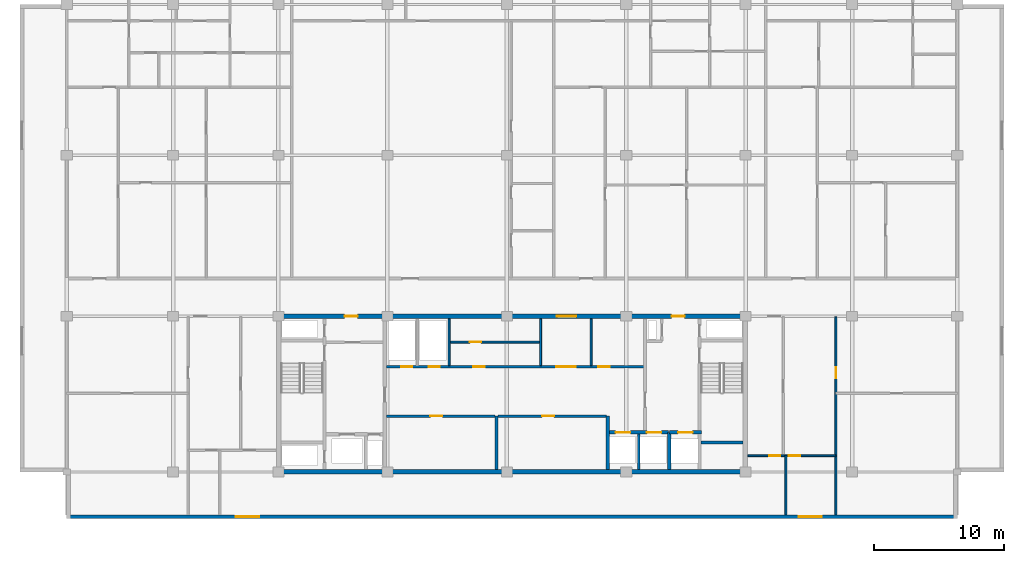
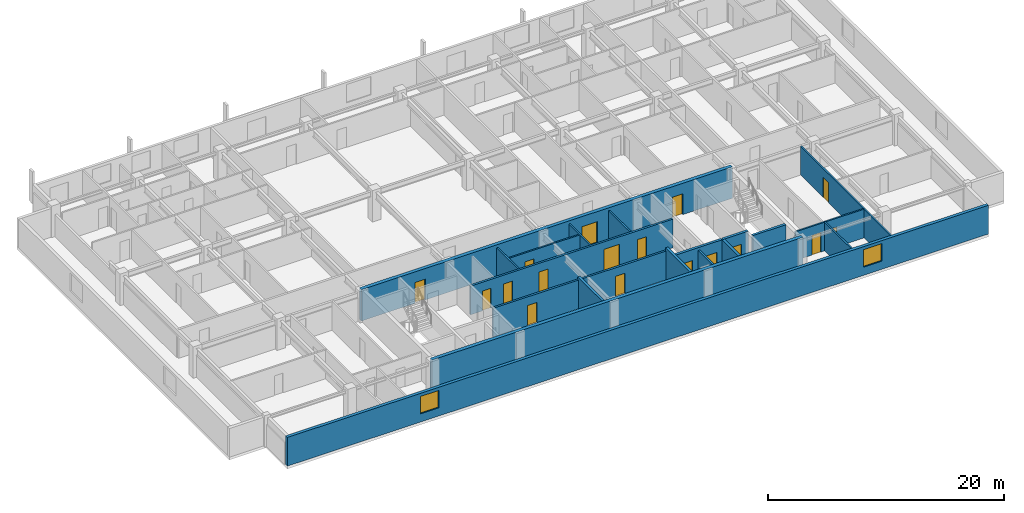
# One storey, part 4 of 10: 20 walls, 17 doors, 2 windows, 19 openings.
"""IFC4 building model written with IfcOpenShell, lengths in metres."""

from ifc_helpers import new_model, si_unit, direction, frame, frame_2d, origin, place, context, subcontext, project, spatial, rectangle, extrude, material, layer, layer_set, type_object, element, fill, save


model = new_model("IFC4")

# Units and contexts
model_context = context("Model", 3, precision=1e-05, world=origin(), true_north=direction((0.0, 1.0)))
body_context = subcontext(model_context, "Body", "Model", "MODEL_VIEW")
ifc_project = project(units=[si_unit("LENGTHUNIT", "METRE"), si_unit("AREAUNIT", "SQUARE_METRE"), si_unit("VOLUMEUNIT", "CUBIC_METRE"), si_unit("PLANEANGLEUNIT", "RADIAN"), si_unit("MASSUNIT", "GRAM", prefix="KILO")], contexts=[model_context])

# Site, building, storey
site_placement = place(None, origin())
site = spatial("IfcSite", under=ifc_project, at=site_placement, CompositionType="ELEMENT")
building_placement = place(site_placement, origin())
building = spatial("IfcBuilding", under=site, at=building_placement, Name="Korimba Cascade Residences", CompositionType="ELEMENT")
storey_placement = place(building_placement, frame((0.0, 0.0, 214.10009765625)))
storey = spatial("IfcBuildingStorey", under=building, at=storey_placement, Name="L62", CompositionType="ELEMENT", Elevation=214.10009765625)

# Wall, openings, windows
ifc_material_1 = material(Name="Precast concrete C40/50", Category="concrete")
ifc_layer_1 = layer(ifc_material_1, 0.300048828125)
ifc_layer_set_1 = layer_set([ifc_layer_1], Name="Precast concrete C40/50")
wall_type_1 = type_object("IfcWallType", Name="EW-STONE-300", PredefinedType="STANDARD", material=ifc_layer_set_1)
wall_1_placement = place(storey_placement, frame((59.800048828125, 51.75, 0.0), z_axis=(0.0, 0.0, 1.0), x_axis=(1.0, 0.0, 0.0)))
wall_1 = element("IfcWall", 1, at=wall_1_placement, inside=storey, type_object=wall_type_1, Name="L62 T1 Perimeter Stone Wall E00", PredefinedType="STANDARD", context=body_context, shape_type="SweptSolid", body=[
    extrude(rectangle(XDim=68.599853515625, YDim=0.300048828125, at=frame_2d((34.2998046875, 0.0))), origin(), (0.0, 0.0, 1.0), 2.969970703125),
])
opening_1_placement = place(wall_1_placement, frame((13.02490234375, 0.0, 0.85009765625)))
opening_1 = element("IfcOpeningElement", 2, at=opening_1_placement, cuts=wall_1, Name="Opening W-02", PredefinedType="OPENING", context=body_context, shape_type="SweptSolid", body=[
    extrude(rectangle(XDim=1.800048828125, YDim=1.800048828125, at=frame_2d((0.89990234375, 0.89990234375))), frame((0.0, 0.16015625, 0.0), z_axis=(0.0, -1.0, 0.0), x_axis=(1.0, 0.0, 0.0)), (0.0, 0.0, 1.0), 0.320068359375),
])
opening_2_placement = place(wall_1_placement, frame((56.375, 0.0, 0.85009765625)))
opening_2 = element("IfcOpeningElement", 3, at=opening_2_placement, cuts=wall_1, Name="Opening W-02", PredefinedType="OPENING", context=body_context, shape_type="SweptSolid", body=[
    extrude(rectangle(XDim=1.800048828125, YDim=1.800048828125, at=frame_2d((0.89990234375, 0.89990234375))), frame((0.0, 0.16015625, 0.0), z_axis=(0.0, -1.0, 0.0), x_axis=(1.0, 0.0, 0.0)), (0.0, 0.0, 1.0), 0.320068359375),
])
ifc_material_2 = material(Name="Double-Glazed Aluminium Window", Category="aluminium")
window_type = type_object("IfcWindowType", Name="WIN-BED-1800", PartitioningType="SINGLE_PANEL", PredefinedType="WINDOW", material=ifc_material_2)
window_1_placement = place(opening_1_placement, origin())
window_1 = element("IfcWindow", 4, at=window_1_placement, inside=storey, type_object=window_type, Name="L62 T1 South Corner Bedroom Window 1", OverallHeight=1.800048828125, OverallWidth=1.800048828125, PartitioningType="SINGLE_PANEL", PredefinedType="WINDOW", context=body_context, shape_type="SweptSolid", body=[
    extrude(rectangle(XDim=1.800048828125, YDim=1.800048828125, at=frame_2d((0.89990234375, 0.89990234375))), frame((0.0, 0.030029296875, 0.0), z_axis=(0.0, -1.0, 0.0), x_axis=(1.0, 0.0, 0.0)), (0.0, 0.0, 1.0), 0.06005859375),
])
fill(opening_1, window_1)
window_2_placement = place(opening_2_placement, origin())
window_2 = element("IfcWindow", 5, at=window_2_placement, inside=storey, type_object=window_type, Name="L62 T1 South Corner Bedroom Window 2", OverallHeight=1.800048828125, OverallWidth=1.800048828125, PartitioningType="SINGLE_PANEL", PredefinedType="WINDOW", context=body_context, shape_type="SweptSolid", body=[
    extrude(rectangle(XDim=1.800048828125, YDim=1.800048828125, at=frame_2d((0.89990234375, 0.89990234375))), frame((0.0, 0.030029296875, 0.0), z_axis=(0.0, -1.0, 0.0), x_axis=(1.0, 0.0, 0.0)), (0.0, 0.0, 1.0), 0.06005859375),
])
fill(opening_2, window_2)

# Wall
ifc_material_3 = material(Name="Concrete C65/80", Category="concrete")
ifc_layer_2 = layer(ifc_material_3, 0.35009765625)
ifc_layer_set_2 = layer_set([ifc_layer_2], Name="Concrete C65/80")
wall_type_2 = type_object("IfcWallType", Name="WAL-CORE-350", PredefinedType="SHEAR", material=ifc_layer_set_2)
wall_2_placement = place(storey_placement, frame((75.949951171875, 55.199951171875, 0.0), z_axis=(0.0, 0.0, 1.0), x_axis=(1.0, 0.0, 0.0)))
element("IfcWall", 6, at=wall_2_placement, inside=storey, type_object=wall_type_2, Name="L62 Core Shear Wall CW-L62-T1-S", PredefinedType="SHEAR", context=body_context, shape_type="SweptSolid", body=[
    extrude(rectangle(XDim=36.300048828125, YDim=0.35009765625, at=frame_2d((18.14990234375, 0.0))), origin(), (0.0, 0.0, 1.0), 3.25),
])

# Wall, openings, doors
wall_3_placement = place(storey_placement, frame((75.949951171875, 67.199951171875, 0.0), z_axis=(0.0, 0.0, 1.0), x_axis=(1.0, 0.0, 0.0)))
wall_3 = element("IfcWall", 7, at=wall_3_placement, inside=storey, type_object=wall_type_2, Name="L62 Core Shear Wall CW-L62-T1-N", PredefinedType="SHEAR", context=body_context, shape_type="SweptSolid", body=[
    extrude(rectangle(XDim=36.300048828125, YDim=0.35009765625, at=frame_2d((18.14990234375, 0.0))), origin(), (0.0, 0.0, 1.0), 3.25),
])
opening_3_placement = place(wall_3_placement, frame((5.25, 0.0, 0.0)))
opening_3 = element("IfcOpeningElement", 8, at=opening_3_placement, cuts=wall_3, Name="Opening D-FD5", PredefinedType="OPENING", context=body_context, shape_type="SweptSolid", body=[
    extrude(rectangle(XDim=1.0, YDim=2.14990234375, at=frame_2d((0.5, 1.074951171875))), frame((0.0, 0.18505859375, 0.0), z_axis=(0.0, -1.0, 0.0), x_axis=(1.0, 0.0, 0.0)), (0.0, 0.0, 1.0), 0.3701171875),
])
opening_4_placement = place(wall_3_placement, frame((21.60009765625, 0.0, 0.0)))
opening_4 = element("IfcOpeningElement", 9, at=opening_4_placement, cuts=wall_3, Name="Opening D-FD8", PredefinedType="OPENING", context=body_context, shape_type="SweptSolid", body=[
    extrude(rectangle(XDim=1.5, YDim=2.199951171875, at=frame_2d((0.75, 1.10009765625))), frame((0.0, 0.18505859375, 0.0), z_axis=(0.0, -1.0, 0.0), x_axis=(1.0, 0.0, 0.0)), (0.0, 0.0, 1.0), 0.3701171875),
])
opening_5_placement = place(wall_3_placement, frame((30.449951171875, 0.0, 0.0)))
opening_5 = element("IfcOpeningElement", 10, at=opening_5_placement, cuts=wall_3, Name="Opening D-FD5", PredefinedType="OPENING", context=body_context, shape_type="SweptSolid", body=[
    extrude(rectangle(XDim=1.0, YDim=2.14990234375, at=frame_2d((0.5, 1.074951171875))), frame((0.0, 0.18505859375, 0.0), z_axis=(0.0, -1.0, 0.0), x_axis=(1.0, 0.0, 0.0)), (0.0, 0.0, 1.0), 0.3701171875),
])
ifc_material_4 = material(Name="Fire-Rated Acoustic Timber Vestibule Door", Category="wood")
door_type_1 = type_object("IfcDoorType", Name="DR-FD90-1000", OperationType="NOTDEFINED", PredefinedType="DOOR", material=ifc_material_4)
door_1_placement = place(opening_3_placement, origin())
door_1 = element("IfcDoor", 11, at=door_1_placement, inside=storey, type_object=door_type_1, Name="L62 T1 West Core Vestibule Fire Door", OperationType="SINGLE_SWING_LEFT", OverallHeight=2.14990234375, OverallWidth=1.0, PredefinedType="DOOR", context=body_context, shape_type="SweptSolid", body=[
    extrude(rectangle(XDim=1.0, YDim=2.14990234375, at=frame_2d((0.5, 1.074951171875))), frame((0.0, 0.02490234375, 0.0), z_axis=(0.0, -1.0, 0.0), x_axis=(1.0, 0.0, 0.0)), (0.0, 0.0, 1.0), 0.050048828125),
])
fill(opening_3, door_1)
door_2_placement = place(opening_5_placement, origin())
door_2 = element("IfcDoor", 12, at=door_2_placement, inside=storey, type_object=door_type_1, Name="L62 T1 East Firefighting Vestibule Fire Door", OperationType="SINGLE_SWING_RIGHT", OverallHeight=2.14990234375, OverallWidth=1.0, PredefinedType="DOOR", context=body_context, shape_type="SweptSolid", body=[
    extrude(rectangle(XDim=1.0, YDim=2.14990234375, at=frame_2d((0.5, 1.074951171875))), frame((0.0, 0.02490234375, 0.0), z_axis=(0.0, -1.0, 0.0), x_axis=(1.0, 0.0, 0.0)), (0.0, 0.0, 1.0), 0.050048828125),
])
fill(opening_5, door_2)
ifc_material_5 = material(Name="Fire-Rated Glazed Lift Lobby Double Door", Category="glass")
door_type_2 = type_object("IfcDoorType", Name="DR-FD90-1500", OperationType="NOTDEFINED", PredefinedType="DOOR", material=ifc_material_5)
door_3_placement = place(opening_4_placement, origin())
door_3 = element("IfcDoor", 13, at=door_3_placement, inside=storey, type_object=door_type_2, Name="L62 T1 Lift Lobby Fire Door", OperationType="DOUBLE_DOOR_SINGLE_SWING", OverallHeight=2.199951171875, OverallWidth=1.5, PredefinedType="DOOR", context=body_context, shape_type="SweptSolid", body=[
    extrude(rectangle(XDim=1.5, YDim=2.199951171875, at=frame_2d((0.75, 1.10009765625))), frame((0.0, 0.02490234375, 0.0), z_axis=(0.0, -1.0, 0.0), x_axis=(1.0, 0.0, 0.0)), (0.0, 0.0, 1.0), 0.050048828125),
])
fill(opening_4, door_3)

# Wall
ifc_material_6 = material(Name="Insulated Acoustic Stud Partition", Category="gypsum")
ifc_layer_3 = layer(ifc_material_6, 0.14990234375)
ifc_layer_set_3 = layer_set([ifc_layer_3], Name="Insulated Acoustic Stud Partition")
wall_type_3 = type_object("IfcWallType", Name="WAL-PART-150", PredefinedType="PARTITIONING", material=ifc_layer_set_3)
wall_4_placement = place(storey_placement, frame((89.25, 63.39990234375, 0.0), z_axis=(0.0, 0.0, 1.0), x_axis=(0.0, 1.0, 0.0)))
element("IfcWall", 14, at=wall_4_placement, inside=storey, type_object=wall_type_3, Name="L62 Partition Wall CW-L62-T1-PRDIV", PredefinedType="PARTITIONING", context=body_context, shape_type="SweptSolid", body=[
    extrude(rectangle(XDim=3.60009765625, YDim=0.14990234375, at=frame_2d((1.800048828125, 0.0))), origin(), (0.0, 0.0, 1.0), 2.969970703125),
])

# Wall, opening, door
wall_5_placement = place(storey_placement, frame((89.25, 65.199951171875, 0.0), z_axis=(0.0, 0.0, 1.0), x_axis=(1.0, 0.0, 0.0)))
wall_5 = element("IfcWall", 15, at=wall_5_placement, inside=storey, type_object=wall_type_3, Name="L62 Partition Wall CW-L62-T1-CA2HZ", PredefinedType="PARTITIONING", context=body_context, shape_type="SweptSolid", body=[
    extrude(rectangle(XDim=7.050048828125, YDim=0.14990234375, at=frame_2d((3.52490234375, 0.0))), origin(), (0.0, 0.0, 1.0), 2.969970703125),
])
opening_6_placement = place(wall_5_placement, frame((1.60009765625, 0.0, 0.0)))
opening_6 = element("IfcOpeningElement", 16, at=opening_6_placement, cuts=wall_5, Name="Opening D-IN2", PredefinedType="OPENING", context=body_context, shape_type="SweptSolid", body=[
    extrude(rectangle(XDim=0.8798828125, YDim=2.06005859375, at=frame_2d((0.43994140625, 1.030029296875))), frame((0.0, 0.0849609375, 0.0), z_axis=(0.0, -1.0, 0.0), x_axis=(1.0, 0.0, 0.0)), (0.0, 0.0, 1.0), 0.169921875),
])
ifc_material_7 = material(Name="Acoustic Timber Bedroom Door", Category="wood")
door_type_3 = type_object("IfcDoorType", Name="DR-INT-880", OperationType="NOTDEFINED", PredefinedType="DOOR", material=ifc_material_7)
door_4_placement = place(opening_6_placement, origin())
door_4 = element("IfcDoor", 17, at=door_4_placement, inside=storey, type_object=door_type_3, Name="L62 Pram Store Door", OperationType="SINGLE_SWING_LEFT", OverallHeight=2.06005859375, OverallWidth=0.8798828125, PredefinedType="DOOR", context=body_context, shape_type="SweptSolid", body=[
    extrude(rectangle(XDim=0.8798828125, YDim=2.06005859375, at=frame_2d((0.43994140625, 1.030029296875))), frame((0.0, 0.02490234375, 0.0), z_axis=(0.0, -1.0, 0.0), x_axis=(1.0, 0.0, 0.0)), (0.0, 0.0, 1.0), 0.050048828125),
])
fill(opening_6, door_4)

# Walls
for number, where, z_axis, x_axis, name in (
    (18, (96.300048828125, 63.39990234375, 0.0), (0.0, 0.0, 1.0), (0.0, 1.0, 0.0), "L62 Partition Wall CW-L62-T1-THW"),
    (19, (100.199951171875, 63.39990234375, 0.0), (0.0, 0.0, 1.0), (0.0, 1.0, 0.0), "L62 Partition Wall CW-L62-T1-THE"),
):
    element("IfcWall", number, at=place(storey_placement, frame(where, z_axis=z_axis, x_axis=x_axis)), inside=storey, type_object=wall_type_3, Name=name, PredefinedType="PARTITIONING", context=body_context, shape_type="SweptSolid", body=[
        extrude(rectangle(XDim=3.60009765625, YDim=0.14990234375, at=frame_2d((1.800048828125, 0.0))), origin(), (0.0, 0.0, 1.0), 2.969970703125),
    ])

# Wall, opening, door
wall_6_placement = place(storey_placement, frame((119.050048828125, 51.89990234375, 0.0), z_axis=(0.0, 0.0, 1.0), x_axis=(0.0, 1.0, 0.0)))
wall_6 = element("IfcWall", 20, at=wall_6_placement, inside=storey, type_object=wall_type_3, Name="L62 Partition Wall WAL-L62-T1-FE-STV", PredefinedType="PARTITIONING", context=body_context, shape_type="SweptSolid", body=[
    extrude(rectangle(XDim=15.25, YDim=0.14990234375, at=frame_2d((7.625, 0.0))), origin(), (0.0, 0.0, 1.0), 2.969970703125),
])
opening_7_placement = place(wall_6_placement, frame((10.5, 0.0, 0.0)))
opening_7 = element("IfcOpeningElement", 21, at=opening_7_placement, cuts=wall_6, Name="Opening D-IN2", PredefinedType="OPENING", context=body_context, shape_type="SweptSolid", body=[
    extrude(rectangle(XDim=0.8798828125, YDim=2.06005859375, at=frame_2d((0.43994140625, 1.030029296875))), frame((0.0, 0.0849609375, 0.0), z_axis=(0.0, -1.0, 0.0), x_axis=(1.0, 0.0, 0.0)), (0.0, 0.0, 1.0), 0.169921875),
])
door_5_placement = place(opening_7_placement, origin())
door_5 = element("IfcDoor", 22, at=door_5_placement, inside=storey, type_object=door_type_3, Name="L62-T1-FE Study Door", OperationType="SINGLE_SWING_LEFT", OverallHeight=2.06005859375, OverallWidth=0.8798828125, PredefinedType="DOOR", context=body_context, shape_type="SweptSolid", body=[
    extrude(rectangle(XDim=0.8798828125, YDim=2.06005859375, at=frame_2d((0.43994140625, 1.030029296875))), frame((0.0, 0.02490234375, 0.0), z_axis=(0.0, -1.0, 0.0), x_axis=(1.0, 0.0, 0.0)), (0.0, 0.0, 1.0), 0.050048828125),
])
fill(opening_7, door_5)

# Wall
wall_7_placement = place(storey_placement, frame((115.199951171875, 51.89990234375, 0.0), z_axis=(0.0, 0.0, 1.0), x_axis=(0.0, 1.0, 0.0)))
element("IfcWall", 23, at=wall_7_placement, inside=storey, type_object=wall_type_3, Name="L62 Partition Wall WAL-L62-T1-FE-VS", PredefinedType="PARTITIONING", context=body_context, shape_type="SweptSolid", body=[
    extrude(rectangle(XDim=4.550048828125, YDim=0.14990234375, at=frame_2d((2.27490234375, 0.0))), origin(), (0.0, 0.0, 1.0), 2.969970703125),
])

# Wall, openings, doors
wall_8_placement = place(storey_placement, frame((112.27001953125, 56.449951171875, 0.0), z_axis=(0.0, 0.0, 1.0), x_axis=(1.0, 0.0, 0.0)))
wall_8 = element("IfcWall", 24, at=wall_8_placement, inside=storey, type_object=wall_type_3, Name="L62 Partition Wall WAL-L62-T1-FE-H", PredefinedType="PARTITIONING", context=body_context, shape_type="SweptSolid", body=[
    extrude(rectangle(XDim=6.760009765625, YDim=0.14990234375, at=frame_2d((3.3798828125, 0.0))), origin(), (0.0, 0.0, 1.0), 2.969970703125),
])
opening_8_placement = place(wall_8_placement, frame((1.6396484375, 0.0, 0.0)))
opening_8 = element("IfcOpeningElement", 25, at=opening_8_placement, cuts=wall_8, Name="Opening D-BT1", PredefinedType="OPENING", context=body_context, shape_type="SweptSolid", body=[
    extrude(rectangle(XDim=0.840087890625, YDim=2.0400390625, at=frame_2d((0.419921875, 1.02001953125))), frame((0.0, 0.0849609375, 0.0), z_axis=(0.0, -1.0, 0.0), x_axis=(1.0, 0.0, 0.0)), (0.0, 0.0, 1.0), 0.169921875),
])
opening_9_placement = place(wall_8_placement, frame((3.160400390625, 0.0, 0.0)))
opening_9 = element("IfcOpeningElement", 26, at=opening_9_placement, cuts=wall_8, Name="Opening D-IN2", PredefinedType="OPENING", context=body_context, shape_type="SweptSolid", body=[
    extrude(rectangle(XDim=0.8798828125, YDim=2.06005859375, at=frame_2d((0.43994140625, 1.030029296875))), frame((0.0, 0.0849609375, 0.0), z_axis=(0.0, -1.0, 0.0), x_axis=(1.0, 0.0, 0.0)), (0.0, 0.0, 1.0), 0.169921875),
])
ifc_material_8 = material(Name="Moisture-Resistant Bathroom Timber Door", Category="wood")
door_type_4 = type_object("IfcDoorType", Name="DR-INT-850", OperationType="NOTDEFINED", PredefinedType="DOOR", material=ifc_material_8)
door_6_placement = place(opening_8_placement, origin())
door_6 = element("IfcDoor", 27, at=door_6_placement, inside=storey, type_object=door_type_4, Name="L62-T1-FE Bathroom Door", OperationType="SINGLE_SWING_LEFT", OverallHeight=2.0400390625, OverallWidth=0.840087890625, PredefinedType="DOOR", context=body_context, shape_type="SweptSolid", body=[
    extrude(rectangle(XDim=0.840087890625, YDim=2.0400390625, at=frame_2d((0.419921875, 1.02001953125))), frame((0.0, 0.02490234375, 0.0), z_axis=(0.0, -1.0, 0.0), x_axis=(1.0, 0.0, 0.0)), (0.0, 0.0, 1.0), 0.050048828125),
])
fill(opening_8, door_6)
door_7_placement = place(opening_9_placement, origin())
door_7 = element("IfcDoor", 28, at=door_7_placement, inside=storey, type_object=door_type_3, Name="L62-T1-FE Bedroom Door", OperationType="SINGLE_SWING_RIGHT", OverallHeight=2.06005859375, OverallWidth=0.8798828125, PredefinedType="DOOR", context=body_context, shape_type="SweptSolid", body=[
    extrude(rectangle(XDim=0.8798828125, YDim=2.06005859375, at=frame_2d((0.43994140625, 1.030029296875))), frame((0.0, 0.02490234375, 0.0), z_axis=(0.0, -1.0, 0.0), x_axis=(1.0, 0.0, 0.0)), (0.0, 0.0, 1.0), 0.050048828125),
])
fill(opening_9, door_7)

# Wall, opening, door
ifc_material_9 = material(Name="Concrete C40/50", Category="concrete")
ifc_layer_4 = layer(ifc_material_9, 0.199951171875)
ifc_layer_set_4 = layer_set([ifc_layer_4], Name="Concrete C40/50")
wall_type_4 = type_object("IfcWallType", Name="WAL-PART-200", PredefinedType="PARTITIONING", material=ifc_layer_set_4)
wall_9_placement = place(storey_placement, frame((84.419921875, 59.5, 0.0), z_axis=(0.0, 0.0, 1.0), x_axis=(1.0, 0.0, 0.0)))
wall_9 = element("IfcWall", 29, at=wall_9_placement, inside=storey, type_object=wall_type_4, Name="L62 Partition Wall CW-L62-T1-B1RN", PredefinedType="PARTITIONING", context=body_context, shape_type="SweptSolid", body=[
    extrude(rectangle(XDim=8.360107421875, YDim=0.199951171875, at=frame_2d((4.18017578125, 0.0))), origin(), (0.0, 0.0, 1.0), 2.969970703125),
])
opening_10_placement = place(wall_9_placement, frame((3.39990234375, 0.0, 0.0)))
opening_10 = element("IfcOpeningElement", 30, at=opening_10_placement, cuts=wall_9, Name="Opening D-ST1", PredefinedType="OPENING", context=body_context, shape_type="SweptSolid", body=[
    extrude(rectangle(XDim=0.919921875, YDim=2.080078125, at=frame_2d((0.4599609375, 1.0400390625))), frame((0.0, 0.10986328125, 0.0), z_axis=(0.0, -1.0, 0.0), x_axis=(1.0, 0.0, 0.0)), (0.0, 0.0, 1.0), 0.219970703125),
])
ifc_material_10 = material(Name="Fire-Rated Core Store Door", Category="wood")
door_type_5 = type_object("IfcDoorType", Name="DR-FD60-920", OperationType="NOTDEFINED", PredefinedType="DOOR", material=ifc_material_10)
door_8_placement = place(opening_10_placement, origin())
door_8 = element("IfcDoor", 31, at=door_8_placement, inside=storey, type_object=door_type_5, Name="L62 Resident Storage Door", OperationType="SINGLE_SWING_LEFT", OverallHeight=2.080078125, OverallWidth=0.919921875, PredefinedType="DOOR", context=body_context, shape_type="SweptSolid", body=[
    extrude(rectangle(XDim=0.919921875, YDim=2.080078125, at=frame_2d((0.4599609375, 1.0400390625))), frame((0.0, 0.02490234375, 0.0), z_axis=(0.0, -1.0, 0.0), x_axis=(1.0, 0.0, 0.0)), (0.0, 0.0, 1.0), 0.050048828125),
])
fill(opening_10, door_8)

wall_10_placement = place(storey_placement, frame((93.02001953125, 59.5, 0.0), z_axis=(0.0, 0.0, 1.0), x_axis=(1.0, 0.0, 0.0)))
wall_10 = element("IfcWall", 32, at=wall_10_placement, inside=storey, type_object=wall_type_4, Name="L62 Partition Wall CW-L62-T1-B2RN", PredefinedType="PARTITIONING", context=body_context, shape_type="SweptSolid", body=[
    extrude(rectangle(XDim=8.35986328125, YDim=0.199951171875, at=frame_2d((4.179931640625, 0.0))), origin(), (0.0, 0.0, 1.0), 2.969970703125),
])
opening_11_placement = place(wall_10_placement, frame((3.39990234375, 0.0, 0.0)))
opening_11 = element("IfcOpeningElement", 33, at=opening_11_placement, cuts=wall_10, Name="Opening D-ST1", PredefinedType="OPENING", context=body_context, shape_type="SweptSolid", body=[
    extrude(rectangle(XDim=0.919921875, YDim=2.080078125, at=frame_2d((0.4599609375, 1.0400390625))), frame((0.0, 0.10986328125, 0.0), z_axis=(0.0, -1.0, 0.0), x_axis=(1.0, 0.0, 0.0)), (0.0, 0.0, 1.0), 0.219970703125),
])
door_9_placement = place(opening_11_placement, origin())
door_9 = element("IfcDoor", 34, at=door_9_placement, inside=storey, type_object=door_type_5, Name="L62 Wine Cellar Store Door", OperationType="SINGLE_SWING_RIGHT", OverallHeight=2.080078125, OverallWidth=0.919921875, PredefinedType="DOOR", context=body_context, shape_type="SweptSolid", body=[
    extrude(rectangle(XDim=0.919921875, YDim=2.080078125, at=frame_2d((0.4599609375, 1.0400390625))), frame((0.0, 0.02490234375, 0.0), z_axis=(0.0, -1.0, 0.0), x_axis=(1.0, 0.0, 0.0)), (0.0, 0.0, 1.0), 0.050048828125),
])
fill(opening_11, door_9)

# Wall
wall_11_placement = place(storey_placement, frame((103.85009765625, 55.39990234375, 0.0), z_axis=(0.0, 0.0, 1.0), x_axis=(0.0, 1.0, 0.0)))
element("IfcWall", 35, at=wall_11_placement, inside=storey, type_object=wall_type_4, Name="L62 Partition Wall CW-L62-T1-B3D1", PredefinedType="PARTITIONING", context=body_context, shape_type="SweptSolid", body=[
    extrude(rectangle(XDim=2.72021484375, YDim=0.199951171875, at=frame_2d((1.360107421875, 0.0))), origin(), (0.0, 0.0, 1.0), 2.969970703125),
])

# Wall, openings, doors
wall_12_placement = place(storey_placement, frame((84.419921875, 63.300048828125, 0.0), z_axis=(0.0, 0.0, 1.0), x_axis=(1.0, 0.0, 0.0)))
wall_12 = element("IfcWall", 36, at=wall_12_placement, inside=storey, type_object=wall_type_4, Name="L62 Partition Wall CW-L62-T1-SRVROW", PredefinedType="PARTITIONING", context=body_context, shape_type="SweptSolid", body=[
    extrude(rectangle(XDim=19.830078125, YDim=0.199951171875, at=frame_2d((9.9150390625, 0.0))), origin(), (0.0, 0.0, 1.0), 2.969970703125),
])
opening_12_placement = place(wall_12_placement, frame((1.14990234375, 0.0, 0.0)))
opening_12 = element("IfcOpeningElement", 37, at=opening_12_placement, cuts=wall_12, Name="Opening D-RS1", PredefinedType="OPENING", context=body_context, shape_type="SweptSolid", body=[
    extrude(rectangle(XDim=0.85009765625, YDim=2.050048828125, at=frame_2d((0.425048828125, 1.02490234375))), frame((0.0, 0.10986328125, 0.0), z_axis=(0.0, -1.0, 0.0), x_axis=(1.0, 0.0, 0.0)), (0.0, 0.0, 1.0), 0.219970703125),
])
opening_13_placement = place(wall_12_placement, frame((3.25, 0.0, 0.0)))
opening_13 = element("IfcOpeningElement", 38, at=opening_13_placement, cuts=wall_12, Name="Opening D-RS1", PredefinedType="OPENING", context=body_context, shape_type="SweptSolid", body=[
    extrude(rectangle(XDim=0.85009765625, YDim=2.050048828125, at=frame_2d((0.425048828125, 1.02490234375))), frame((0.0, 0.10986328125, 0.0), z_axis=(0.0, -1.0, 0.0), x_axis=(1.0, 0.0, 0.0)), (0.0, 0.0, 1.0), 0.219970703125),
])
opening_14_placement = place(wall_12_placement, frame((13.080078125, 0.0, 0.0)))
opening_14 = element("IfcOpeningElement", 39, at=opening_14_placement, cuts=wall_12, Name="Opening D-FD8", PredefinedType="OPENING", context=body_context, shape_type="SweptSolid", body=[
    extrude(rectangle(XDim=1.5, YDim=2.199951171875, at=frame_2d((0.75, 1.10009765625))), frame((0.0, 0.10986328125, 0.0), z_axis=(0.0, -1.0, 0.0), x_axis=(1.0, 0.0, 0.0)), (0.0, 0.0, 1.0), 0.219970703125),
])
opening_15_placement = place(wall_12_placement, frame((6.679931640625, 0.0, 0.0)))
opening_15 = element("IfcOpeningElement", 40, at=opening_15_placement, cuts=wall_12, Name="Opening D-IN1", PredefinedType="OPENING", context=body_context, shape_type="SweptSolid", body=[
    extrude(rectangle(XDim=0.919921875, YDim=2.080078125, at=frame_2d((0.4599609375, 1.0400390625))), frame((0.0, 0.10986328125, 0.0), z_axis=(0.0, -1.0, 0.0), x_axis=(1.0, 0.0, 0.0)), (0.0, 0.0, 1.0), 0.219970703125),
])
opening_16_placement = place(wall_12_placement, frame((16.330078125, 0.0, 0.0)))
opening_16 = element("IfcOpeningElement", 41, at=opening_16_placement, cuts=wall_12, Name="Opening D-IN2", PredefinedType="OPENING", context=body_context, shape_type="SweptSolid", body=[
    extrude(rectangle(XDim=0.8798828125, YDim=2.06005859375, at=frame_2d((0.43994140625, 1.030029296875))), frame((0.0, 0.10986328125, 0.0), z_axis=(0.0, -1.0, 0.0), x_axis=(1.0, 0.0, 0.0)), (0.0, 0.0, 1.0), 0.219970703125),
])
ifc_material_11 = material(Name="Fire-Rated Steel Riser Access Door", Category="steel")
door_type_6 = type_object("IfcDoorType", Name="DR-FD60-850", OperationType="NOTDEFINED", PredefinedType="DOOR", material=ifc_material_11)
door_10_placement = place(opening_12_placement, origin())
door_10 = element("IfcDoor", 42, at=door_10_placement, inside=storey, type_object=door_type_6, Name="L62 Electrical Riser Door", OperationType="SINGLE_SWING_RIGHT", OverallHeight=2.050048828125, OverallWidth=0.85009765625, PredefinedType="DOOR", context=body_context, shape_type="SweptSolid", body=[
    extrude(rectangle(XDim=0.85009765625, YDim=2.050048828125, at=frame_2d((0.425048828125, 1.02490234375))), frame((0.0, 0.02490234375, 0.0), z_axis=(0.0, -1.0, 0.0), x_axis=(1.0, 0.0, 0.0)), (0.0, 0.0, 1.0), 0.050048828125),
])
fill(opening_12, door_10)
door_11_placement = place(opening_13_placement, origin())
door_11 = element("IfcDoor", 43, at=door_11_placement, inside=storey, type_object=door_type_6, Name="L62 Plumbing Riser Door", OperationType="SINGLE_SWING_LEFT", OverallHeight=2.050048828125, OverallWidth=0.85009765625, PredefinedType="DOOR", context=body_context, shape_type="SweptSolid", body=[
    extrude(rectangle(XDim=0.85009765625, YDim=2.050048828125, at=frame_2d((0.425048828125, 1.02490234375))), frame((0.0, 0.02490234375, 0.0), z_axis=(0.0, -1.0, 0.0), x_axis=(1.0, 0.0, 0.0)), (0.0, 0.0, 1.0), 0.050048828125),
])
fill(opening_13, door_11)
door_12_placement = place(opening_14_placement, origin())
door_12 = element("IfcDoor", 44, at=door_12_placement, inside=storey, type_object=door_type_2, Name="L62 Lift Lobby Foyer Archway Door", OperationType="DOUBLE_DOOR_SINGLE_SWING", OverallHeight=2.199951171875, OverallWidth=1.5, PredefinedType="DOOR", context=body_context, shape_type="SweptSolid", body=[
    extrude(rectangle(XDim=1.5, YDim=2.199951171875, at=frame_2d((0.75, 1.10009765625))), frame((0.0, 0.02490234375, 0.0), z_axis=(0.0, -1.0, 0.0), x_axis=(1.0, 0.0, 0.0)), (0.0, 0.0, 1.0), 0.050048828125),
])
fill(opening_14, door_12)
door_13_placement = place(opening_16_placement, origin())
door_13 = element("IfcDoor", 45, at=door_13_placement, inside=storey, type_object=door_type_3, Name="L62 Staff WC Door", OperationType="SINGLE_SWING_LEFT", OverallHeight=2.06005859375, OverallWidth=0.8798828125, PredefinedType="DOOR", context=body_context, shape_type="SweptSolid", body=[
    extrude(rectangle(XDim=0.8798828125, YDim=2.06005859375, at=frame_2d((0.43994140625, 1.030029296875))), frame((0.0, 0.02490234375, 0.0), z_axis=(0.0, -1.0, 0.0), x_axis=(1.0, 0.0, 0.0)), (0.0, 0.0, 1.0), 0.050048828125),
])
fill(opening_16, door_13)
ifc_material_12 = material(Name="Acoustic Timber Living Door", Category="wood")
door_type_7 = type_object("IfcDoorType", Name="DR-INT-920", OperationType="NOTDEFINED", PredefinedType="DOOR", material=ifc_material_12)
door_14_placement = place(opening_15_placement, origin())
door_14 = element("IfcDoor", 46, at=door_14_placement, inside=storey, type_object=door_type_7, Name="L62 Locker Room Door", OperationType="SINGLE_SWING_RIGHT", OverallHeight=2.080078125, OverallWidth=0.919921875, PredefinedType="DOOR", context=body_context, shape_type="SweptSolid", body=[
    extrude(rectangle(XDim=0.919921875, YDim=2.080078125, at=frame_2d((0.4599609375, 1.0400390625))), frame((0.0, 0.02490234375, 0.0), z_axis=(0.0, -1.0, 0.0), x_axis=(1.0, 0.0, 0.0)), (0.0, 0.0, 1.0), 0.050048828125),
])
fill(opening_15, door_14)

# Walls
ifc_material_13 = material(Name="Concrete C50/60", Category="concrete")
ifc_layer_5 = layer(ifc_material_13, 0.25)
ifc_layer_set_5 = layer_set([ifc_layer_5], Name="Concrete C50/60")
wall_type_5 = type_object("IfcWallType", Name="WAL-SHAFT-250", PredefinedType="SHEAR", material=ifc_layer_set_5)
for number, where, z_axis, x_axis, name in (
    (47, (92.89990234375, 55.39990234375, 0.0), (0.0, 0.0, 1.0), (0.0, 1.0, 0.0), "L62 Core Shear Wall CW-L62-T1-B12DIV"),
    (48, (101.47998046875, 55.39990234375, 0.0), (0.0, 0.0, 1.0), (0.0, 1.0, 0.0), "L62 Core Shear Wall CW-L62-T1-B23DIV"),
):
    element("IfcWall", number, at=place(storey_placement, frame(where, z_axis=z_axis, x_axis=x_axis)), inside=storey, type_object=wall_type_5, Name=name, PredefinedType="SHEAR", context=body_context, shape_type="SweptSolid", body=[
        extrude(rectangle(XDim=4.10009765625, YDim=0.25, at=frame_2d((2.050048828125, 0.0))), origin(), (0.0, 0.0, 1.0), 3.25),
    ])

# Wall, openings, doors
wall_13_placement = place(storey_placement, frame((101.550048828125, 58.25, 0.0), z_axis=(0.0, 0.0, 1.0), x_axis=(1.0, 0.0, 0.0)))
wall_13 = element("IfcWall", 49, at=wall_13_placement, inside=storey, type_object=wall_type_5, Name="L62 Core Shear Wall CW-L62-T1-B3N", PredefinedType="SHEAR", context=body_context, shape_type="SweptSolid", body=[
    extrude(rectangle(XDim=4.599853515625, YDim=0.25, at=frame_2d((2.2998046875, 0.0))), origin(), (0.0, 0.0, 1.0), 3.25),
])
opening_17_placement = place(wall_13_placement, frame((0.5400390625, 0.0, 0.0)))
opening_17 = element("IfcOpeningElement", 50, at=opening_17_placement, cuts=wall_13, Name="Opening LD-01", PredefinedType="OPENING", context=body_context, shape_type="SweptSolid", body=[
    extrude(rectangle(XDim=1.1201171875, YDim=2.1201171875, at=frame_2d((0.56005859375, 1.06005859375))), frame((0.0, 0.135009765625, 0.0), z_axis=(0.0, -1.0, 0.0), x_axis=(1.0, 0.0, 0.0)), (0.0, 0.0, 1.0), 0.27001953125),
])
opening_18_placement = place(wall_13_placement, frame((2.93994140625, 0.0, 0.0)))
opening_18 = element("IfcOpeningElement", 51, at=opening_18_placement, cuts=wall_13, Name="Opening LD-01", PredefinedType="OPENING", context=body_context, shape_type="SweptSolid", body=[
    extrude(rectangle(XDim=1.1201171875, YDim=2.1201171875, at=frame_2d((0.56005859375, 1.06005859375))), frame((0.0, 0.135009765625, 0.0), z_axis=(0.0, -1.0, 0.0), x_axis=(1.0, 0.0, 0.0)), (0.0, 0.0, 1.0), 0.27001953125),
])
ifc_material_14 = material(Name="Stainless Steel Lift Landing Sliding Door", Category="steel")
door_type_8 = type_object("IfcDoorType", Name="DR-LIFT-1100", OperationType="NOTDEFINED", PredefinedType="DOOR", material=ifc_material_14)
door_15_placement = place(opening_17_placement, origin())
door_15 = element("IfcDoor", 52, at=door_15_placement, inside=storey, type_object=door_type_8, Name="L62 Lift Landing Door PL-W7", OperationType="SLIDING_TO_LEFT", OverallHeight=2.1201171875, OverallWidth=1.1201171875, PredefinedType="DOOR", context=body_context, shape_type="SweptSolid", body=[
    extrude(rectangle(XDim=1.1201171875, YDim=2.1201171875, at=frame_2d((0.56005859375, 1.06005859375))), frame((0.0, 0.02490234375, 0.0), z_axis=(0.0, -1.0, 0.0), x_axis=(1.0, 0.0, 0.0)), (0.0, 0.0, 1.0), 0.050048828125),
])
fill(opening_17, door_15)
door_16_placement = place(opening_18_placement, origin())
door_16 = element("IfcDoor", 53, at=door_16_placement, inside=storey, type_object=door_type_8, Name="L62 Lift Landing Door PL-W8", OperationType="SLIDING_TO_LEFT", OverallHeight=2.1201171875, OverallWidth=1.1201171875, PredefinedType="DOOR", context=body_context, shape_type="SweptSolid", body=[
    extrude(rectangle(XDim=1.1201171875, YDim=2.1201171875, at=frame_2d((0.56005859375, 1.06005859375))), frame((0.0, 0.02490234375, 0.0), z_axis=(0.0, -1.0, 0.0), x_axis=(1.0, 0.0, 0.0)), (0.0, 0.0, 1.0), 0.050048828125),
])
fill(opening_18, door_16)

# Wall
wall_14_placement = place(storey_placement, frame((106.219970703125, 55.39990234375, 0.0), z_axis=(0.0, 0.0, 1.0), x_axis=(0.0, 1.0, 0.0)))
element("IfcWall", 54, at=wall_14_placement, inside=storey, type_object=wall_type_5, Name="L62 Core Shear Wall CW-L62-T1-FF2W", PredefinedType="SHEAR", context=body_context, shape_type="SweptSolid", body=[
    extrude(rectangle(XDim=2.85009765625, YDim=0.25, at=frame_2d((1.425048828125, 0.0))), origin(), (0.0, 0.0, 1.0), 3.25),
])

# Wall, opening, door
wall_15_placement = place(storey_placement, frame((106.219970703125, 58.25, 0.0), z_axis=(0.0, 0.0, 1.0), x_axis=(1.0, 0.0, 0.0)))
wall_15 = element("IfcWall", 55, at=wall_15_placement, inside=storey, type_object=wall_type_5, Name="L62 Core Shear Wall CW-L62-T1-FF2N", PredefinedType="SHEAR", context=body_context, shape_type="SweptSolid", body=[
    extrude(rectangle(XDim=2.4599609375, YDim=0.25, at=frame_2d((1.22998046875, 0.0))), origin(), (0.0, 0.0, 1.0), 3.25),
])
opening_19_placement = place(wall_15_placement, frame((0.669921875, 0.0, 0.0)))
opening_19 = element("IfcOpeningElement", 56, at=opening_19_placement, cuts=wall_15, Name="Opening LD-01", PredefinedType="OPENING", context=body_context, shape_type="SweptSolid", body=[
    extrude(rectangle(XDim=1.1201171875, YDim=2.1201171875, at=frame_2d((0.56005859375, 1.06005859375))), frame((0.0, 0.135009765625, 0.0), z_axis=(0.0, -1.0, 0.0), x_axis=(1.0, 0.0, 0.0)), (0.0, 0.0, 1.0), 0.27001953125),
])
door_17_placement = place(opening_19_placement, origin())
door_17 = element("IfcDoor", 57, at=door_17_placement, inside=storey, type_object=door_type_8, Name="L62 Firefighting Lift Landing Door FFL-W2", OperationType="SLIDING_TO_RIGHT", OverallHeight=2.1201171875, OverallWidth=1.1201171875, PredefinedType="DOOR", context=body_context, shape_type="SweptSolid", body=[
    extrude(rectangle(XDim=1.1201171875, YDim=2.1201171875, at=frame_2d((0.56005859375, 1.06005859375))), frame((0.0, 0.02490234375, 0.0), z_axis=(0.0, -1.0, 0.0), x_axis=(1.0, 0.0, 0.0)), (0.0, 0.0, 1.0), 0.050048828125),
])
fill(opening_19, door_17)

# Wall
wall_16_placement = place(storey_placement, frame((108.659912109375, 57.47509765625, 0.0), z_axis=(0.0, 0.0, 1.0), x_axis=(1.0, 0.0, 0.0)))
element("IfcWall", 58, at=wall_16_placement, inside=storey, type_object=wall_type_5, Name="L62 Core Shear Wall CW-L62-T1-STW2S", PredefinedType="SHEAR", context=body_context, shape_type="SweptSolid", body=[
    extrude(rectangle(XDim=3.239990234375, YDim=0.25, at=frame_2d((1.6201171875, 0.0))), origin(), (0.0, 0.0, 1.0), 3.25),
])

save(model, "model.ifc")
